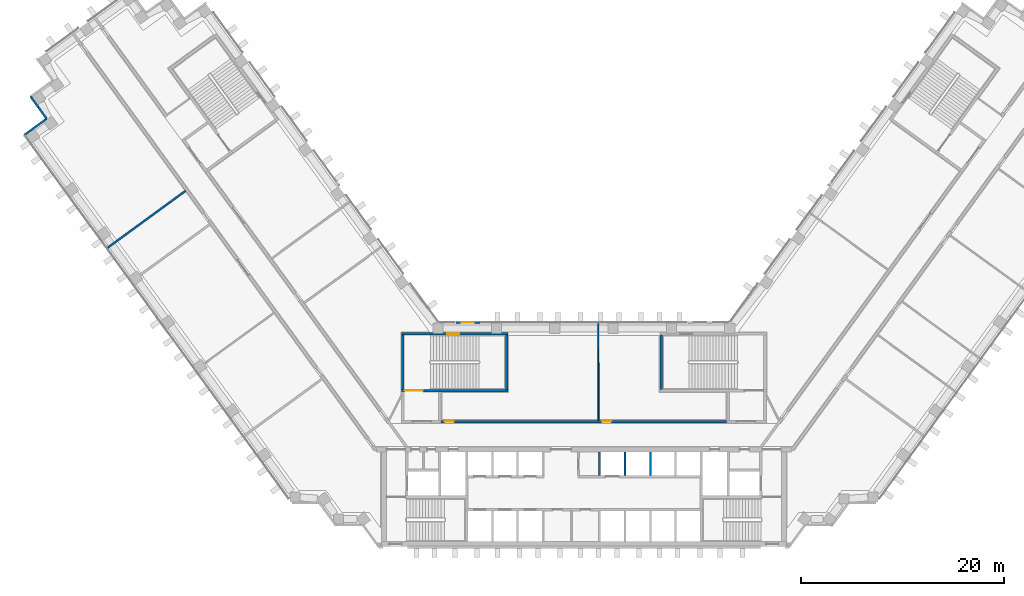
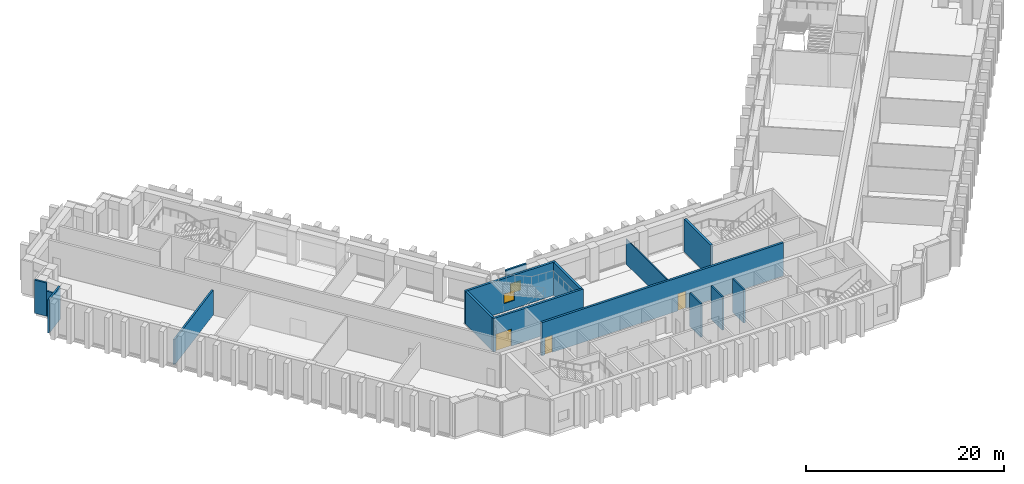
# One storey, part 8 of 15: 15 walls, 3 doors, 2 windows, 5 openings.
"""IFC4 building model written with IfcOpenShell, lengths in metres."""

from ifc_helpers import new_model, si_unit, direction, frame, frame_2d, origin, place, context, subcontext, project, spatial, rectangle, extrude, material, layer, layer_set, type_object, element, fill, save


model = new_model("IFC4")

# Units and contexts
model_context = context("Model", 3, precision=1e-05, world=origin(), true_north=direction((0.0, 1.0)))
body_context = subcontext(model_context, "Body", "Model", "MODEL_VIEW")
ifc_project = project(units=[si_unit("LENGTHUNIT", "METRE"), si_unit("AREAUNIT", "SQUARE_METRE"), si_unit("VOLUMEUNIT", "CUBIC_METRE"), si_unit("PLANEANGLEUNIT", "RADIAN"), si_unit("MASSUNIT", "GRAM", prefix="KILO")], contexts=[model_context])

# Site, building, storey
site_placement = place(None, origin())
site = spatial("IfcSite", under=ifc_project, at=site_placement, CompositionType="ELEMENT")
building_placement = place(site_placement, origin())
building = spatial("IfcBuilding", under=site, at=building_placement, Name="Quipu Civic Tower", CompositionType="ELEMENT")
storey_placement = place(building_placement, frame((0.0, 0.0, 11.5)))
storey = spatial("IfcBuildingStorey", under=building, at=storey_placement, Name="L02", CompositionType="ELEMENT", Elevation=11.5)

# Wall
ifc_material_1 = material(Name="Fired clay blockwork", Category="masonry")
ifc_layer_1 = layer(ifc_material_1, 0.199951171875)
ifc_layer_set_1 = layer_set([ifc_layer_1], Name="Fired clay blockwork")
wall_type_1 = type_object("IfcWallType", Name="Blockwork wall 200", PredefinedType="SOLIDWALL", material=ifc_layer_set_1)
wall_1_placement = place(storey_placement, frame((-47.028076171875, 18.486572265625, 0.0), z_axis=(0.0, 0.0, 1.0), x_axis=(0.807645841498, 0.589667868135, 0.0)))
element("IfcWall", 1, at=wall_1_placement, inside=storey, type_object=wall_type_1, Name="Partition P04", PredefinedType="SOLIDWALL", context=body_context, shape_type="SweptSolid", body=[
    extrude(rectangle(XDim=9.550537109375, YDim=0.199951171875, at=frame_2d((4.775390625, 0.0))), origin(), (0.0, 0.0, 1.0), 3.10009765625),
])

# Wall, opening, door
ifc_material_2 = material(Name="Concrete C70/85", Category="concrete")
ifc_layer_2 = layer(ifc_material_2, 0.25)
ifc_layer_set_2 = layer_set([ifc_layer_2], Name="Concrete C70/85")
wall_type_2 = type_object("IfcWallType", Name="Core wall 250", PredefinedType="SHEAR", material=ifc_layer_set_2)
wall_2_placement = place(storey_placement, frame((-18.0, 4.375, 0.0), z_axis=(0.0, 0.0, 1.0), x_axis=(1.0, 0.0, 0.0)))
wall_2 = element("IfcWall", 2, at=wall_2_placement, inside=storey, type_object=wall_type_2, Name="Core wall", PredefinedType="SHEAR", context=body_context, shape_type="SweptSolid", body=[
    extrude(rectangle(XDim=10.5, YDim=0.25, at=frame_2d((5.25, 0.0))), origin(), (0.0, 0.0, 1.0), 4.10009765625),
])
opening_1_placement = place(wall_2_placement, frame((0.300048828125, 0.0, 0.0)))
opening_1 = element("IfcOpeningElement", 3, at=opening_1_placement, cuts=wall_2, Name="Opening CD-15", PredefinedType="OPENING", context=body_context, shape_type="SweptSolid", body=[
    extrude(rectangle(XDim=1.800048828125, YDim=2.10009765625, at=frame_2d((0.89990234375, 1.050048828125))), frame((0.0, 0.135009765625, 0.0), z_axis=(0.0, -1.0, 0.0), x_axis=(1.0, 0.0, 0.0)), (0.0, 0.0, 1.0), 0.27001953125),
])
ifc_material_3 = material(Name="Fire rated steel door", Category="steel")
door_type_1 = type_object("IfcDoorType", Name="Fire door FD90 double 1800 x 2100", OperationType="NOTDEFINED", PredefinedType="DOOR", material=ifc_material_3)
door_1_placement = place(opening_1_placement, origin())
door_1 = element("IfcDoor", 4, at=door_1_placement, inside=storey, type_object=door_type_1, Name="Door", OperationType="DOUBLE_DOOR_SINGLE_SWING", OverallHeight=2.10009765625, OverallWidth=1.800048828125, PredefinedType="DOOR", context=body_context, shape_type="SweptSolid", body=[
    extrude(rectangle(XDim=1.800048828125, YDim=2.10009765625, at=frame_2d((0.89990234375, 1.050048828125))), frame((0.0, 0.02490234375, 0.0), z_axis=(0.0, -1.0, 0.0), x_axis=(1.0, 0.0, 0.0)), (0.0, 0.0, 1.0), 0.050048828125),
])
fill(opening_1, door_1)

# Walls
for number, where, z_axis, x_axis, name in (
    (5, (-17.875, 4.5, 0.0), (0.0, 0.0, 1.0), (0.0, 1.0, 0.0), "Core wall"),
    (6, (-7.625, 4.5, 0.0), (0.0, 0.0, 1.0), (0.0, 1.0, 0.0), "Core wall"),
):
    element("IfcWall", number, at=place(storey_placement, frame(where, z_axis=z_axis, x_axis=x_axis)), inside=storey, type_object=wall_type_2, Name=name, PredefinedType="SHEAR", context=body_context, shape_type="SweptSolid", body=[
        extrude(rectangle(XDim=5.35009765625, YDim=0.25, at=frame_2d((2.675048828125, 0.0))), origin(), (0.0, 0.0, 1.0), 4.10009765625),
    ])

# Wall, opening, window
wall_3_placement = place(storey_placement, frame((-18.0, 9.97509765625, 0.0), z_axis=(0.0, 0.0, 1.0), x_axis=(1.0, 0.0, 0.0)))
wall_3 = element("IfcWall", 7, at=wall_3_placement, inside=storey, type_object=wall_type_2, Name="Core wall", PredefinedType="SHEAR", context=body_context, shape_type="SweptSolid", body=[
    extrude(rectangle(XDim=10.5, YDim=0.25, at=frame_2d((5.25, 0.0))), origin(), (0.0, 0.0, 1.0), 4.10009765625),
])
opening_2_placement = place(wall_3_placement, frame((4.5, 0.0, 1.0)))
opening_2 = element("IfcOpeningElement", 8, at=opening_2_placement, cuts=wall_3, Name="Opening SV-3", PredefinedType="OPENING", context=body_context, shape_type="SweptSolid", body=[
    extrude(rectangle(XDim=1.199951171875, YDim=1.199951171875, at=frame_2d((0.60009765625, 0.60009765625))), frame((0.0, 0.135009765625, 0.0), z_axis=(0.0, -1.0, 0.0), x_axis=(1.0, 0.0, 0.0)), (0.0, 0.0, 1.0), 0.27001953125),
])
ifc_material_4 = material(Name="Aluminium louvre", Category="aluminium")
window_type_1 = type_object("IfcWindowType", Name="Stair ventilation louvre 1200 x 1200", PartitioningType="SINGLE_PANEL", PredefinedType="WINDOW", material=ifc_material_4)
window_1_placement = place(opening_2_placement, origin())
window_1 = element("IfcWindow", 9, at=window_1_placement, inside=storey, type_object=window_type_1, Name="Stair ventilation opening", OverallHeight=1.199951171875, OverallWidth=1.199951171875, PartitioningType="SINGLE_PANEL", PredefinedType="WINDOW", context=body_context, shape_type="SweptSolid", body=[
    extrude(rectangle(XDim=1.199951171875, YDim=1.199951171875, at=frame_2d((0.60009765625, 0.60009765625))), frame((0.0, 0.030029296875, 0.0), z_axis=(0.0, -1.0, 0.0), x_axis=(1.0, 0.0, 0.0)), (0.0, 0.0, 1.0), 0.06005859375),
])
fill(opening_2, window_1)

# Wall
wall_4_placement = place(storey_placement, frame((7.625, 4.5, 0.0), z_axis=(0.0, 0.0, 1.0), x_axis=(0.0, 1.0, 0.0)))
element("IfcWall", 10, at=wall_4_placement, inside=storey, type_object=wall_type_2, Name="Core wall", PredefinedType="SHEAR", context=body_context, shape_type="SweptSolid", body=[
    extrude(rectangle(XDim=5.35009765625, YDim=0.25, at=frame_2d((2.675048828125, 0.0))), origin(), (0.0, 0.0, 1.0), 4.10009765625),
])

# Wall, openings, doors
ifc_material_5 = material(Name="Concrete C50/60", Category="concrete")
ifc_layer_3 = layer(ifc_material_5, 0.25)
ifc_layer_set_3 = layer_set([ifc_layer_3], Name="Concrete C50/60")
wall_type_3 = type_object("IfcWallType", Name="Corridor wall 250 concrete", PredefinedType="SOLIDWALL", material=ifc_layer_set_3)
wall_5_placement = place(storey_placement, frame((-14.090087890625, 1.324951171875, 0.0), z_axis=(0.0, 0.0, 1.0), x_axis=(1.0, 0.0, 0.0)))
wall_5 = element("IfcWall", 11, at=wall_5_placement, inside=storey, type_object=wall_type_3, Name="Corridor wall C05", PredefinedType="SOLIDWALL", context=body_context, shape_type="SweptSolid", body=[
    extrude(rectangle(XDim=28.18017578125, YDim=0.25, at=frame_2d((14.090087890625, 0.0))), origin(), (0.0, 0.0, 1.0), 4.10009765625),
])
opening_3_placement = place(wall_5_placement, frame((0.340087890625, 0.0, 0.0)))
opening_3 = element("IfcOpeningElement", 12, at=opening_3_placement, cuts=wall_5, Name="Opening D010", PredefinedType="OPENING", context=body_context, shape_type="SweptSolid", body=[
    extrude(rectangle(XDim=0.89990234375, YDim=2.10009765625, at=frame_2d((0.449951171875, 1.050048828125))), frame((0.0, 0.135009765625, 0.0), z_axis=(0.0, -1.0, 0.0), x_axis=(1.0, 0.0, 0.0)), (0.0, 0.0, 1.0), 0.27001953125),
])
opening_4_placement = place(wall_5_placement, frame((15.8798828125, 0.0, 0.0)))
opening_4 = element("IfcOpeningElement", 13, at=opening_4_placement, cuts=wall_5, Name="Opening D011", PredefinedType="OPENING", context=body_context, shape_type="SweptSolid", body=[
    extrude(rectangle(XDim=0.89990234375, YDim=2.10009765625, at=frame_2d((0.449951171875, 1.050048828125))), frame((0.0, 0.135009765625, 0.0), z_axis=(0.0, -1.0, 0.0), x_axis=(1.0, 0.0, 0.0)), (0.0, 0.0, 1.0), 0.27001953125),
])
ifc_material_6 = material(Name="Fire rated timber door set with metal frame", Category="wood")
door_type_2 = type_object("IfcDoorType", Name="Single door 900 x 2100 FD60", OperationType="NOTDEFINED", PredefinedType="DOOR", material=ifc_material_6)
door_2_placement = place(opening_3_placement, origin())
door_2 = element("IfcDoor", 14, at=door_2_placement, inside=storey, type_object=door_type_2, Name="Door D010", OperationType="SINGLE_SWING_LEFT", OverallHeight=2.10009765625, OverallWidth=0.89990234375, PredefinedType="DOOR", context=body_context, shape_type="SweptSolid", body=[
    extrude(rectangle(XDim=0.89990234375, YDim=2.10009765625, at=frame_2d((0.449951171875, 1.050048828125))), frame((0.0, 0.02490234375, 0.0), z_axis=(0.0, -1.0, 0.0), x_axis=(1.0, 0.0, 0.0)), (0.0, 0.0, 1.0), 0.050048828125),
])
fill(opening_3, door_2)
door_3_placement = place(opening_4_placement, origin())
door_3 = element("IfcDoor", 15, at=door_3_placement, inside=storey, type_object=door_type_2, Name="Door D011", OperationType="SINGLE_SWING_LEFT", OverallHeight=2.10009765625, OverallWidth=0.89990234375, PredefinedType="DOOR", context=body_context, shape_type="SweptSolid", body=[
    extrude(rectangle(XDim=0.89990234375, YDim=2.10009765625, at=frame_2d((0.449951171875, 1.050048828125))), frame((0.0, 0.02490234375, 0.0), z_axis=(0.0, -1.0, 0.0), x_axis=(1.0, 0.0, 0.0)), (0.0, 0.0, 1.0), 0.050048828125),
])
fill(opening_4, door_3)

# Walls
ifc_material_7 = material(Name="Gypsum plasterboard on light gauge framing")
ifc_layer_4 = layer(ifc_material_7, 0.1201171875)
ifc_layer_set_4 = layer_set([ifc_layer_4], Name="Gypsum plasterboard on light gauge framing")
wall_type_4 = type_object("IfcWallType", Name="Partition 120 plasterboard", PredefinedType="PARTITIONING", material=ifc_layer_set_4)
wall_6_placement = place(storey_placement, frame((1.43896484375, 1.449951171875, 0.0), z_axis=(0.0, 0.0, 1.0), x_axis=(-0.00224965558, 0.999997469522, 0.0)))
element("IfcWall", 16, at=wall_6_placement, inside=storey, type_object=wall_type_4, Name="Partition P10", PredefinedType="PARTITIONING", context=body_context, shape_type="SweptSolid", body=[
    extrude(rectangle(XDim=9.550048828125, YDim=0.1201171875, at=frame_2d((4.77490234375, 0.0))), origin(), (0.0, 0.0, 1.0), 3.10009765625),
])
ifc_material_8 = material(Name="Precast concrete C40/50", Category="concrete")
wall_type_5 = type_object("IfcWallType", Name="Precast cladding wall", PredefinedType="SOLIDWALL", material=ifc_material_8)
wall_7_placement = place(storey_placement, frame((-54.647216796875, 33.4169921875, 0.0), z_axis=(0.0, 0.0, 1.0), x_axis=(0.587871379726, -0.808954412127, 0.0)))
element("IfcWall", 17, at=wall_7_placement, inside=storey, type_object=wall_type_5, Name="Precast cladding wall L02 16", PredefinedType="SOLIDWALL", context=body_context, shape_type="SweptSolid", body=[
    extrude(rectangle(XDim=1.30517578125, YDim=0.199951171875, at=frame_2d((0.652587890625, 0.0))), origin(), (0.0, 0.0, 1.0), 4.10009765625),
])
wall_8_placement = place(storey_placement, frame((-53.8798828125, 32.361083984375, 0.0), z_axis=(0.0, 0.0, 1.0), x_axis=(0.587776137069, -0.809023616894, 0.0)))
element("IfcWall", 18, at=wall_8_placement, inside=storey, type_object=wall_type_5, Name="Precast cladding wall L02 16 a", PredefinedType="SOLIDWALL", context=body_context, shape_type="SweptSolid", body=[
    extrude(rectangle(XDim=1.394775390625, YDim=0.199951171875, at=frame_2d((0.697265625, 0.0))), origin(), (0.0, 0.0, 1.0), 3.10009765625),
])
wall_9_placement = place(storey_placement, frame((-53.062744140625, 31.2158203125, 0.0), z_axis=(0.0, 0.0, 1.0), x_axis=(-0.809033161865, -0.587762999008, 0.0)))
element("IfcWall", 19, at=wall_9_placement, inside=storey, type_object=wall_type_5, Name="Precast cladding wall L02 17", PredefinedType="SOLIDWALL", context=body_context, shape_type="SweptSolid", body=[
    extrude(rectangle(XDim=2.699951171875, YDim=0.199951171875, at=frame_2d((1.35009765625, 0.0))), origin(), (0.0, 0.0, 1.0), 4.10009765625),
])

# Wall, opening, window
wall_10_placement = place(storey_placement, frame((-10.263427734375, 11.10009765625, 0.0), z_axis=(0.0, 0.0, 1.0), x_axis=(-1.0, 0.0, 0.0)))
wall_10 = element("IfcWall", 20, at=wall_10_placement, inside=storey, type_object=wall_type_5, Name="Vent surround SF-L02-1", PredefinedType="SOLIDWALL", context=body_context, shape_type="SweptSolid", body=[
    extrude(rectangle(XDim=2.3916015625, YDim=0.199951171875, at=frame_2d((1.19580078125, 0.0))), origin(), (0.0, 0.0, 1.0), 4.10009765625),
])
opening_5_placement = place(wall_10_placement, frame((0.595703125, 0.0, 1.0)))
opening_5 = element("IfcOpeningElement", 21, at=opening_5_placement, cuts=wall_10, Name="Opening SF-L02-1", PredefinedType="OPENING", context=body_context, shape_type="SweptSolid", body=[
    extrude(rectangle(XDim=1.199951171875, YDim=1.199951171875, at=frame_2d((0.60009765625, 0.60009765625))), frame((0.0, 0.10986328125, 0.0), z_axis=(0.0, -1.0, 0.0), x_axis=(1.0, 0.0, 0.0)), (0.0, 0.0, 1.0), 0.219970703125),
])
ifc_material_9 = material(Name="Anodised aluminium louvre", Category="aluminium")
window_type_2 = type_object("IfcWindowType", Name="Stair vent louvre window P3", PartitioningType="SINGLE_PANEL", PredefinedType="WINDOW", material=ifc_material_9)
window_2_placement = place(opening_5_placement, origin())
window_2 = element("IfcWindow", 22, at=window_2_placement, inside=storey, type_object=window_type_2, Name="Stair vent louvre SF-L02-1", OverallHeight=1.199951171875, OverallWidth=1.199951171875, PartitioningType="SINGLE_PANEL", PredefinedType="WINDOW", context=body_context, shape_type="SweptSolid", body=[
    extrude(rectangle(XDim=1.199951171875, YDim=1.199951171875, at=frame_2d((0.60009765625, 0.60009765625))), frame((0.0, 0.030029296875, 0.0), z_axis=(0.0, -1.0, 0.0), x_axis=(1.0, 0.0, 0.0)), (0.0, 0.0, 1.0), 0.06005859375),
])
fill(opening_5, window_2)

# Walls
ifc_material_10 = material(Name="Concrete C40/50", Category="concrete")
ifc_layer_5 = layer(ifc_material_10, 0.199951171875)
ifc_layer_set_5 = layer_set([ifc_layer_5], Name="Concrete C40/50")
wall_type_6 = type_object("IfcWallType", Name="Shaft wall 200", PredefinedType="SOLIDWALL", material=ifc_layer_set_5)
for number, where, z_axis, x_axis, name in (
    (23, (1.550048828125, -4.0, 0.0), (0.0, 0.0, 1.0), (0.0, 1.0, 0.0), "Shaft wall"),
    (24, (4.050048828125, -4.0, 0.0), (0.0, 0.0, 1.0), (0.0, 1.0, 0.0), "Shaft wall"),
    (25, (6.550048828125, -4.0, 0.0), (0.0, 0.0, 1.0), (0.0, 1.0, 0.0), "Shaft wall"),
):
    element("IfcWall", number, at=place(storey_placement, frame(where, z_axis=z_axis, x_axis=x_axis)), inside=storey, type_object=wall_type_6, Name=name, PredefinedType="SOLIDWALL", context=body_context, shape_type="SweptSolid", body=[
        extrude(rectangle(XDim=2.300048828125, YDim=0.199951171875, at=frame_2d((1.14990234375, 0.0))), origin(), (0.0, 0.0, 1.0), 4.10009765625),
    ])

save(model, "model.ifc")
